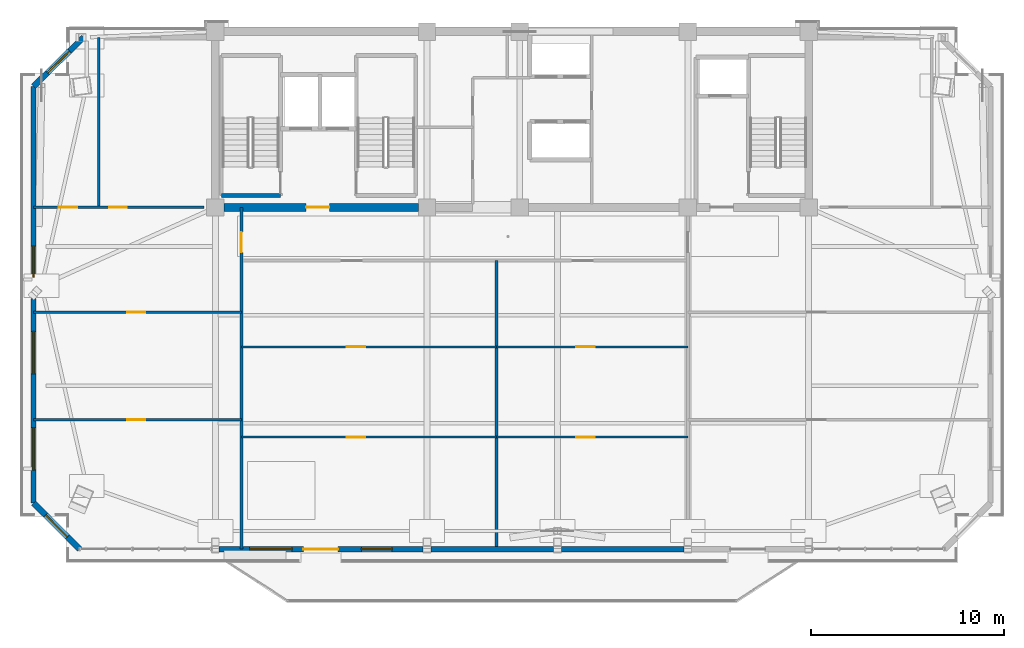
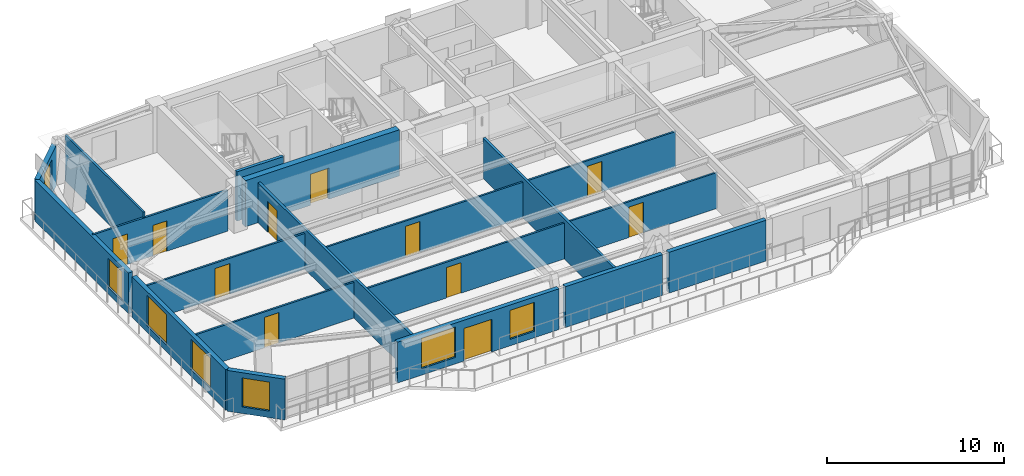
# One storey, part 6 of 14: 19 walls, 11 doors, 7 windows, 18 openings.
"""IFC4 building model written with IfcOpenShell, lengths in metres."""

from ifc_helpers import new_model, si_unit, direction, frame, frame_2d, origin, place, context, subcontext, project, spatial, rectangle, extrude, source, transform, mapped, material, layer, layer_set, type_object, element, fill, save


model = new_model("IFC4")

# Units and contexts
model_context = context("Model", 3, precision=1e-05, world=origin(), true_north=direction((0.0, 1.0)))
body_context = subcontext(model_context, "Body", "Model", "MODEL_VIEW")
ifc_project = project(units=[si_unit("LENGTHUNIT", "METRE"), si_unit("AREAUNIT", "SQUARE_METRE"), si_unit("VOLUMEUNIT", "CUBIC_METRE"), si_unit("PLANEANGLEUNIT", "RADIAN"), si_unit("MASSUNIT", "GRAM", prefix="KILO")], contexts=[model_context])

# Site, building, storey
site_placement = place(None, origin())
site = spatial("IfcSite", under=ifc_project, at=site_placement, CompositionType="ELEMENT")
building_placement = place(site_placement, origin())
building = spatial("IfcBuilding", under=site, at=building_placement, Name="Giltprow Tower", CompositionType="ELEMENT")
storey_placement = place(building_placement, frame((0.0, 0.0, 310.800048828125)))
storey = spatial("IfcBuildingStorey", under=building, at=storey_placement, Name="L80", CompositionType="ELEMENT", Elevation=310.800048828125)

# Wall, opening, window
ifc_material_1 = material(Name="Precast concrete C40", Category="concrete")
ifc_layer_1 = layer(ifc_material_1, 0.300048828125, Name="Precast concrete C40")
ifc_layer_set_1 = layer_set([ifc_layer_1], Name="Precast concrete C40")
wall_type_1 = type_object("IfcWallType", Name="EW-NOTCH-CHAMFER-300", PredefinedType="SOLIDWALL", material=ifc_layer_set_1)
wall_1_placement = place(storey_placement, frame((10.43994140625, 22.156982421875, 0.0), z_axis=(0.0, 0.0, 1.0), x_axis=(0.707106781187, -0.707106781187, 0.0)))
wall_1 = element("IfcWall", 1, at=wall_1_placement, inside=storey, type_object=wall_type_1, Name="L80 Corner Notch Wall SW", PredefinedType="SOLIDWALL", context=body_context, shape_type="SweptSolid", body=[
    extrude(rectangle(XDim=3.372802734375, YDim=0.300048828125, at=frame_2d((1.6865234375, 0.0))), origin(), (0.0, 0.0, 1.0), 2.81494140625),
])
opening_1_placement = place(wall_1_placement, frame((0.885986328125, 0.0, 0.449951171875)))
opening_1 = element("IfcOpeningElement", 2, at=opening_1_placement, cuts=wall_1, Name="Opening WN17", PredefinedType="OPENING", context=body_context, shape_type="SweptSolid", body=[
    extrude(rectangle(XDim=1.60009765625, YDim=2.0, at=frame_2d((0.800048828125, 1.0))), frame((0.0, 0.159912109375, 0.0), z_axis=(0.0, -1.0, 0.0), x_axis=(1.0, 0.0, 0.0)), (0.0, 0.0, 1.0), 0.320068359375),
])
ifc_material_2 = material(Name="Insulated glass", Category="glass")
window_type_1 = type_object("IfcWindowType", Name="WN-COR-1600x2000", PartitioningType="SINGLE_PANEL", PredefinedType="WINDOW", material=ifc_material_2)
shared_shape_1 = source(origin(), body_context, "Body", "SweptSolid", [
    extrude(rectangle(XDim=1.60009765625, YDim=2.0, at=frame_2d((0.800048828125, 1.0))), frame((0.0, 0.030029296875, 0.0), z_axis=(0.0, -1.0, 0.0), x_axis=(1.0, 0.0, 0.0)), (0.0, 0.0, 1.0), 0.06005859375),
])
window_1_placement = place(opening_1_placement, origin())
window_1 = element("IfcWindow", 3, at=window_1_placement, inside=storey, type_object=window_type_1, Name="L80 Corner Notch Window SW", OverallHeight=2.0, OverallWidth=1.60009765625, PartitioningType="SINGLE_PANEL", PredefinedType="WINDOW", context=body_context, shape_type="MappedRepresentation", body=[
    mapped(shared_shape_1, transform((0.0, 0.0, 0.0), x_axis=(1.0, 0.0, 0.0), y_axis=(0.0, 1.0, 0.0), z_axis=(0.0, 0.0, 1.0), scale=1.0)),
])
fill(opening_1, window_1)

wall_2_placement = place(storey_placement, frame((13.02490234375, 46.25, 0.0), z_axis=(0.0, 0.0, 1.0), x_axis=(-0.713984922877, -0.700161074257, 0.0)))
wall_2 = element("IfcWall", 4, at=wall_2_placement, inside=storey, type_object=wall_type_1, Name="L80 Corner Notch Wall NW", PredefinedType="SOLIDWALL", context=body_context, shape_type="SweptSolid", body=[
    extrude(rectangle(XDim=3.620361328125, YDim=0.300048828125, at=frame_2d((1.81005859375, 0.0))), origin(), (0.0, 0.0, 1.0), 2.81494140625),
])
opening_2_placement = place(wall_2_placement, frame((1.010009765625, 0.0, 0.449951171875)))
opening_2 = element("IfcOpeningElement", 5, at=opening_2_placement, cuts=wall_2, Name="Opening WN17", PredefinedType="OPENING", context=body_context, shape_type="SweptSolid", body=[
    extrude(rectangle(XDim=1.60009765625, YDim=2.0, at=frame_2d((0.800048828125, 1.0))), frame((0.0, 0.159912109375, 0.0), z_axis=(0.0, -1.0, 0.0), x_axis=(1.0, 0.0, 0.0)), (0.0, 0.0, 1.0), 0.320068359375),
])
window_2_placement = place(opening_2_placement, origin())
window_2 = element("IfcWindow", 6, at=window_2_placement, inside=storey, type_object=window_type_1, Name="L80 Corner Notch Window NW", OverallHeight=2.0, OverallWidth=1.60009765625, PartitioningType="SINGLE_PANEL", PredefinedType="WINDOW", context=body_context, shape_type="MappedRepresentation", body=[
    mapped(shared_shape_1, transform((0.0, 0.0, 0.0), x_axis=(1.0, 0.0, 0.0), y_axis=(0.0, 1.0, 0.0), z_axis=(0.0, 0.0, 1.0), scale=1.0)),
])
fill(opening_2, window_2)

# Wall, openings, windows, door
ifc_layer_2 = layer(ifc_material_1, 0.280029296875, Name="Precast concrete C40")
ifc_layer_set_2 = layer_set([ifc_layer_2], Name="Precast concrete C40")
wall_type_2 = type_object("IfcWallType", Name="EW-TOW-BRONZE-280", PredefinedType="SOLIDWALL", material=ifc_layer_set_2)
wall_3_placement = place(storey_placement, frame((20.050048828125, 19.77197265625, 0.0), z_axis=(0.0, 0.0, 1.0), x_axis=(1.0, 0.0, 0.0)))
wall_3 = element("IfcWall", 7, at=wall_3_placement, inside=storey, type_object=wall_type_2, Name="L80 South Expressed Frame Wall 2", PredefinedType="SOLIDWALL", context=body_context, shape_type="SweptSolid", body=[
    extrude(rectangle(XDim=10.550048828125, YDim=0.280029296875, at=frame_2d((5.27490234375, 0.0))), origin(), (0.0, 0.0, 1.0), 2.81494140625),
])
opening_3_placement = place(wall_3_placement, frame((4.35009765625, 0.0, 0.0)))
opening_3 = element("IfcOpeningElement", 8, at=opening_3_placement, cuts=wall_3, Name="Opening ED25", PredefinedType="OPENING", context=body_context, shape_type="SweptSolid", body=[
    extrude(rectangle(XDim=1.800048828125, YDim=2.25, at=frame_2d((0.89990234375, 1.125))), frame((0.0, 0.14990234375, 0.0), z_axis=(0.0, -1.0, 0.0), x_axis=(1.0, 0.0, 0.0)), (0.0, 0.0, 1.0), 0.300048828125),
])
opening_4_placement = place(wall_3_placement, frame((1.570068359375, 0.0, 0.449951171875)))
opening_4 = element("IfcOpeningElement", 9, at=opening_4_placement, cuts=wall_3, Name="Opening WN27", PredefinedType="OPENING", context=body_context, shape_type="SweptSolid", body=[
    extrude(rectangle(XDim=2.199951171875, YDim=2.10009765625, at=frame_2d((1.10009765625, 1.050048828125))), frame((0.0, 0.14990234375, 0.0), z_axis=(0.0, -1.0, 0.0), x_axis=(1.0, 0.0, 0.0)), (0.0, 0.0, 1.0), 0.300048828125),
])
opening_5_placement = place(wall_3_placement, frame((7.35009765625, 0.0, 0.449951171875)))
opening_5 = element("IfcOpeningElement", 10, at=opening_5_placement, cuts=wall_3, Name="Opening WN17", PredefinedType="OPENING", context=body_context, shape_type="SweptSolid", body=[
    extrude(rectangle(XDim=1.60009765625, YDim=2.0, at=frame_2d((0.800048828125, 1.0))), frame((0.0, 0.14990234375, 0.0), z_axis=(0.0, -1.0, 0.0), x_axis=(1.0, 0.0, 0.0)), (0.0, 0.0, 1.0), 0.300048828125),
])
window_3_placement = place(opening_5_placement, origin())
window_3 = element("IfcWindow", 11, at=window_3_placement, inside=storey, type_object=window_type_1, Name="L80 South Window 2B", OverallHeight=2.0, OverallWidth=1.60009765625, PartitioningType="SINGLE_PANEL", PredefinedType="WINDOW", context=body_context, shape_type="MappedRepresentation", body=[
    mapped(shared_shape_1, transform((0.0, 0.0, 0.0), x_axis=(1.0, 0.0, 0.0), y_axis=(0.0, 1.0, 0.0), z_axis=(0.0, 0.0, 1.0), scale=1.0)),
])
fill(opening_5, window_3)
ifc_material_3 = material(Name="Anodized bronze and glass", Category="glass")
door_type_1 = type_object("IfcDoorType", Name="DR-BALC-SLIDE-1800", OperationType="SLIDING_TO_LEFT", PredefinedType="DOOR", material=ifc_material_3)
shared_shape_2 = source(origin(), body_context, "Body", "SweptSolid", [
    extrude(rectangle(XDim=1.800048828125, YDim=2.25, at=frame_2d((0.89990234375, 1.125))), frame((0.0, 0.02490234375, 0.0), z_axis=(0.0, -1.0, 0.0), x_axis=(1.0, 0.0, 0.0)), (0.0, 0.0, 1.0), 0.050048828125),
])
door_1_placement = place(opening_3_placement, origin())
door_1 = element("IfcDoor", 12, at=door_1_placement, inside=storey, type_object=door_type_1, Name="L80 Waterfront Balcony Sliding Door 1", OperationType="SLIDING_TO_LEFT", OverallHeight=2.25, OverallWidth=1.800048828125, PredefinedType="DOOR", context=body_context, shape_type="MappedRepresentation", body=[
    mapped(shared_shape_2, transform((0.0, 0.0, 0.0), x_axis=(1.0, 0.0, 0.0), y_axis=(0.0, 1.0, 0.0), z_axis=(0.0, 0.0, 1.0), scale=1.0)),
])
fill(opening_3, door_1)
window_type_2 = type_object("IfcWindowType", Name="WN-RES-2200x2100", PartitioningType="TRIPLE_PANEL_VERTICAL", PredefinedType="WINDOW", material=ifc_material_2)
shared_shape_3 = source(origin(), body_context, "Body", "SweptSolid", [
    extrude(rectangle(XDim=2.199951171875, YDim=2.10009765625, at=frame_2d((1.10009765625, 1.050048828125))), frame((0.0, 0.030029296875, 0.0), z_axis=(0.0, -1.0, 0.0), x_axis=(1.0, 0.0, 0.0)), (0.0, 0.0, 1.0), 0.06005859375),
])
window_4_placement = place(opening_4_placement, origin())
window_4 = element("IfcWindow", 13, at=window_4_placement, inside=storey, type_object=window_type_2, Name="L80 South Window 2A", OverallHeight=2.10009765625, OverallWidth=2.199951171875, PartitioningType="SINGLE_PANEL", PredefinedType="WINDOW", context=body_context, shape_type="MappedRepresentation", body=[
    mapped(shared_shape_3, transform((0.0, 0.0, 0.0), x_axis=(1.0, 0.0, 0.0), y_axis=(0.0, 1.0, 0.0), z_axis=(0.0, 0.0, 1.0), scale=1.0)),
])
fill(opening_4, window_4)

# Walls
for number, where, z_axis, x_axis, name in (
    (14, (31.0, 19.77197265625, 0.0), (0.0, 0.0, 1.0), (1.0, 0.0, 0.0), "L80 South Expressed Frame Wall 3"),
    (15, (37.75, 19.77197265625, 0.0), (0.0, 0.0, 1.0), (1.0, 0.0, 0.0), "L80 South Expressed Frame Wall 4"),
):
    element("IfcWall", number, at=place(storey_placement, frame(where, z_axis=z_axis, x_axis=x_axis)), inside=storey, type_object=wall_type_2, Name=name, PredefinedType="SOLIDWALL", context=body_context, shape_type="SweptSolid", body=[
        extrude(rectangle(XDim=6.35009765625, YDim=0.280029296875, at=frame_2d((3.175048828125, 0.0))), origin(), (0.0, 0.0, 1.0), 2.81494140625),
    ])

# Wall, openings, windows
wall_4_placement = place(storey_placement, frame((10.43994140625, 22.156982421875, 0.0), z_axis=(0.0, 0.0, 1.0), x_axis=(0.0, 1.0, 0.0)))
wall_4 = element("IfcWall", 16, at=wall_4_placement, inside=storey, type_object=wall_type_2, Name="L80 W Wing Masonry Wall 1", PredefinedType="SOLIDWALL", context=body_context, shape_type="SweptSolid", body=[
    extrude(rectangle(XDim=10.5791015625, YDim=0.280029296875, at=frame_2d((5.28955078125, 0.0))), origin(), (0.0, 0.0, 1.0), 2.81494140625),
])
opening_6_placement = place(wall_4_placement, frame((1.705078125, 0.0, 0.449951171875)))
opening_6 = element("IfcOpeningElement", 17, at=opening_6_placement, cuts=wall_4, Name="Opening WN27", PredefinedType="OPENING", context=body_context, shape_type="SweptSolid", body=[
    extrude(rectangle(XDim=2.199951171875, YDim=2.10009765625, at=frame_2d((1.10009765625, 1.050048828125))), frame((0.0, 0.14990234375, 0.0), z_axis=(0.0, -1.0, 0.0), x_axis=(1.0, 0.0, 0.0)), (0.0, 0.0, 1.0), 0.300048828125),
])
opening_7_placement = place(wall_4_placement, frame((6.679931640625, 0.0, 0.449951171875)))
opening_7 = element("IfcOpeningElement", 18, at=opening_7_placement, cuts=wall_4, Name="Opening WN27", PredefinedType="OPENING", context=body_context, shape_type="SweptSolid", body=[
    extrude(rectangle(XDim=2.199951171875, YDim=2.10009765625, at=frame_2d((1.10009765625, 1.050048828125))), frame((0.0, 0.14990234375, 0.0), z_axis=(0.0, -1.0, 0.0), x_axis=(1.0, 0.0, 0.0)), (0.0, 0.0, 1.0), 0.300048828125),
])
window_5_placement = place(opening_6_placement, origin())
window_5 = element("IfcWindow", 19, at=window_5_placement, inside=storey, type_object=window_type_2, Name="L80 W Wing Window 1-1A", OverallHeight=2.10009765625, OverallWidth=2.199951171875, PartitioningType="SINGLE_PANEL", PredefinedType="WINDOW", context=body_context, shape_type="MappedRepresentation", body=[
    mapped(shared_shape_3, transform((0.0, 0.0, 0.0), x_axis=(1.0, 0.0, 0.0), y_axis=(0.0, 1.0, 0.0), z_axis=(0.0, 0.0, 1.0), scale=1.0)),
])
fill(opening_6, window_5)
window_6_placement = place(opening_7_placement, origin())
window_6 = element("IfcWindow", 20, at=window_6_placement, inside=storey, type_object=window_type_2, Name="L80 W Wing Window 1-1B", OverallHeight=2.10009765625, OverallWidth=2.199951171875, PartitioningType="SINGLE_PANEL", PredefinedType="WINDOW", context=body_context, shape_type="MappedRepresentation", body=[
    mapped(shared_shape_3, transform((0.0, 0.0, 0.0), x_axis=(1.0, 0.0, 0.0), y_axis=(0.0, 1.0, 0.0), z_axis=(0.0, 0.0, 1.0), scale=1.0)),
])
fill(opening_7, window_6)

# Wall, opening, window
wall_5_placement = place(storey_placement, frame((10.43994140625, 33.135986328125, 0.0), z_axis=(0.0, 0.0, 1.0), x_axis=(0.0, 1.0, 0.0)))
wall_5 = element("IfcWall", 21, at=wall_5_placement, inside=storey, type_object=wall_type_2, Name="L80 W Wing Masonry Wall 2", PredefinedType="SOLIDWALL", context=body_context, shape_type="SweptSolid", body=[
    extrude(rectangle(XDim=10.5791015625, YDim=0.280029296875, at=frame_2d((5.28955078125, 0.0))), origin(), (0.0, 0.0, 1.0), 2.81494140625),
])
opening_8_placement = place(wall_5_placement, frame((0.7119140625, 0.0, 0.449951171875)))
opening_8 = element("IfcOpeningElement", 22, at=opening_8_placement, cuts=wall_5, Name="Opening WN17", PredefinedType="OPENING", context=body_context, shape_type="SweptSolid", body=[
    extrude(rectangle(XDim=1.60009765625, YDim=2.0, at=frame_2d((0.800048828125, 1.0))), frame((0.0, 0.14990234375, 0.0), z_axis=(0.0, -1.0, 0.0), x_axis=(1.0, 0.0, 0.0)), (0.0, 0.0, 1.0), 0.300048828125),
])
window_7_placement = place(opening_8_placement, origin())
window_7 = element("IfcWindow", 23, at=window_7_placement, inside=storey, type_object=window_type_1, Name="L80 W Wing Window 2-1", OverallHeight=2.0, OverallWidth=1.60009765625, PartitioningType="SINGLE_PANEL", PredefinedType="WINDOW", context=body_context, shape_type="MappedRepresentation", body=[
    mapped(shared_shape_1, transform((0.0, 0.0, 0.0), x_axis=(1.0, 0.0, 0.0), y_axis=(0.0, 1.0, 0.0), z_axis=(0.0, 0.0, 1.0), scale=1.0)),
])
fill(opening_8, window_7)

# Wall, opening, door
ifc_material_4 = material(Name="Gypsum stud partition", Category="gypsum")
ifc_layer_3 = layer(ifc_material_4, 0.159912109375, Name="Gypsum stud partition")
ifc_layer_set_3 = layer_set([ifc_layer_3], Name="Gypsum stud partition")
wall_type_3 = type_object("IfcWallType", Name="IW-DEMISE-160", PredefinedType="PARTITIONING", material=ifc_layer_set_3)
wall_6_placement = place(storey_placement, frame((21.199951171875, 19.77197265625, 0.0), z_axis=(0.0, 0.0, 1.0), x_axis=(0.0, 1.0, 0.0)))
wall_6 = element("IfcWall", 24, at=wall_6_placement, inside=storey, type_object=wall_type_3, Name="L80 Apartment Party Wall 1", PredefinedType="PARTITIONING", context=body_context, shape_type="SweptSolid", body=[
    extrude(rectangle(XDim=17.677978515625, YDim=0.159912109375, at=frame_2d((8.8388671875, 0.0))), origin(), (0.0, 0.0, 1.0), 2.77001953125),
])
opening_9_placement = place(wall_6_placement, frame((15.347900390625, 0.0, 0.0)))
opening_9 = element("IfcOpeningElement", 25, at=opening_9_placement, cuts=wall_6, Name="Opening ID31", PredefinedType="OPENING", context=body_context, shape_type="SweptSolid", body=[
    extrude(rectangle(XDim=1.050048828125, YDim=2.14990234375, at=frame_2d((0.52490234375, 1.074951171875))), frame((0.0, 0.08984375, 0.0), z_axis=(0.0, -1.0, 0.0), x_axis=(1.0, 0.0, 0.0)), (0.0, 0.0, 1.0), 0.179931640625),
])
ifc_material_5 = material(Name="Engineered timber", Category="wood")
door_type_2 = type_object("IfcDoorType", Name="DR-SUITE-1050", OperationType="SINGLE_SWING_LEFT", PredefinedType="DOOR", material=ifc_material_5)
shared_shape_4 = source(origin(), body_context, "Body", "SweptSolid", [
    extrude(rectangle(XDim=1.050048828125, YDim=2.14990234375, at=frame_2d((0.52490234375, 1.074951171875))), frame((0.0, 0.02490234375, 0.0), z_axis=(0.0, -1.0, 0.0), x_axis=(1.0, 0.0, 0.0)), (0.0, 0.0, 1.0), 0.050048828125),
])
door_2_placement = place(opening_9_placement, origin())
door_2 = element("IfcDoor", 26, at=door_2_placement, inside=storey, type_object=door_type_2, Name="L80 Residents Study Office Corridor End Door", OperationType="SINGLE_SWING_RIGHT", OverallHeight=2.14990234375, OverallWidth=1.050048828125, PredefinedType="DOOR", context=body_context, shape_type="MappedRepresentation", body=[
    mapped(shared_shape_4, transform((0.0, 0.0, 0.0), x_axis=(1.0, 0.0, 0.0), y_axis=(0.0, 1.0, 0.0), z_axis=(0.0, 0.0, 1.0), scale=1.0)),
])
fill(opening_9, door_2)

# Wall
wall_7_placement = place(storey_placement, frame((34.39990234375, 19.77197265625, 0.0), z_axis=(0.0, 0.0, 1.0), x_axis=(0.0, 1.0, 0.0)))
element("IfcWall", 27, at=wall_7_placement, inside=storey, type_object=wall_type_3, Name="L80 Apartment Party Wall 2", PredefinedType="PARTITIONING", context=body_context, shape_type="SweptSolid", body=[
    extrude(rectangle(XDim=14.927978515625, YDim=0.159912109375, at=frame_2d((7.4638671875, 0.0))), origin(), (0.0, 0.0, 1.0), 2.77001953125),
])

# Wall, opening, door
ifc_layer_4 = layer(ifc_material_4, 0.1201171875, Name="Gypsum stud partition")
ifc_layer_set_4 = layer_set([ifc_layer_4], Name="Gypsum stud partition")
wall_type_4 = type_object("IfcWallType", Name="IW-ROOM-120", PredefinedType="PARTITIONING", material=ifc_layer_set_4)
wall_8_placement = place(storey_placement, frame((10.43994140625, 26.4619140625, 0.0), z_axis=(0.0, 0.0, 1.0), x_axis=(1.0, 0.0, 0.0)))
wall_8 = element("IfcWall", 28, at=wall_8_placement, inside=storey, type_object=wall_type_4, Name="L80 Special Split 1", PredefinedType="PARTITIONING", context=body_context, shape_type="SweptSolid", body=[
    extrude(rectangle(XDim=10.760009765625, YDim=0.1201171875, at=frame_2d((5.3798828125, 0.0))), origin(), (0.0, 0.0, 1.0), 2.469970703125),
])
opening_10_placement = place(wall_8_placement, frame((4.839111328125, 0.0, 0.0)))
opening_10 = element("IfcOpeningElement", 29, at=opening_10_placement, cuts=wall_8, Name="Opening ID11", PredefinedType="OPENING", context=body_context, shape_type="SweptSolid", body=[
    extrude(rectangle(XDim=0.949951171875, YDim=2.10009765625, at=frame_2d((0.47509765625, 1.050048828125))), frame((0.0, 0.070068359375, 0.0), z_axis=(0.0, -1.0, 0.0), x_axis=(1.0, 0.0, 0.0)), (0.0, 0.0, 1.0), 0.14013671875),
])
door_type_3 = type_object("IfcDoorType", Name="DR-ROOM-950", OperationType="SINGLE_SWING_RIGHT", PredefinedType="DOOR", material=ifc_material_5)
shared_shape_5 = source(origin(), body_context, "Body", "SweptSolid", [
    extrude(rectangle(XDim=0.949951171875, YDim=2.10009765625, at=frame_2d((0.47509765625, 1.050048828125))), frame((0.0, 0.02490234375, 0.0), z_axis=(0.0, -1.0, 0.0), x_axis=(1.0, 0.0, 0.0)), (0.0, 0.0, 1.0), 0.050048828125),
])
door_3_placement = place(opening_10_placement, origin())
door_3 = element("IfcDoor", 30, at=door_3_placement, inside=storey, type_object=door_type_3, Name="L80 Residents Study Office South Door", OperationType="SINGLE_SWING_RIGHT", OverallHeight=2.10009765625, OverallWidth=0.949951171875, PredefinedType="DOOR", context=body_context, shape_type="MappedRepresentation", body=[
    mapped(shared_shape_5, transform((0.0, 0.0, 0.0), x_axis=(1.0, 0.0, 0.0), y_axis=(0.0, 1.0, 0.0), z_axis=(0.0, 0.0, 1.0), scale=1.0)),
])
fill(opening_10, door_3)

wall_9_placement = place(storey_placement, frame((10.43994140625, 32.01904296875, 0.0), z_axis=(0.0, 0.0, 1.0), x_axis=(1.0, 0.0, 0.0)))
wall_9 = element("IfcWall", 31, at=wall_9_placement, inside=storey, type_object=wall_type_4, Name="L80 Special Split 2", PredefinedType="PARTITIONING", context=body_context, shape_type="SweptSolid", body=[
    extrude(rectangle(XDim=10.760009765625, YDim=0.1201171875, at=frame_2d((5.3798828125, 0.0))), origin(), (0.0, 0.0, 1.0), 2.469970703125),
])
opening_11_placement = place(wall_9_placement, frame((4.839111328125, 0.0, 0.0)))
opening_11 = element("IfcOpeningElement", 32, at=opening_11_placement, cuts=wall_9, Name="Opening ID11", PredefinedType="OPENING", context=body_context, shape_type="SweptSolid", body=[
    extrude(rectangle(XDim=0.949951171875, YDim=2.10009765625, at=frame_2d((0.47509765625, 1.050048828125))), frame((0.0, 0.070068359375, 0.0), z_axis=(0.0, -1.0, 0.0), x_axis=(1.0, 0.0, 0.0)), (0.0, 0.0, 1.0), 0.14013671875),
])
door_4_placement = place(opening_11_placement, origin())
door_4 = element("IfcDoor", 33, at=door_4_placement, inside=storey, type_object=door_type_3, Name="L80 Residents Study Office Mid Door", OperationType="SINGLE_SWING_LEFT", OverallHeight=2.10009765625, OverallWidth=0.949951171875, PredefinedType="DOOR", context=body_context, shape_type="MappedRepresentation", body=[
    mapped(shared_shape_5, transform((0.0, 0.0, 0.0), x_axis=(1.0, 0.0, 0.0), y_axis=(0.0, 1.0, 0.0), z_axis=(0.0, 0.0, 1.0), scale=1.0)),
])
fill(opening_11, door_4)

wall_10_placement = place(storey_placement, frame((21.199951171875, 25.56689453125, 0.0), z_axis=(0.0, 0.0, 1.0), x_axis=(1.0, 0.0, 0.0)))
wall_10 = element("IfcWall", 34, at=wall_10_placement, inside=storey, type_object=wall_type_4, Name="L80 Special Split 1", PredefinedType="PARTITIONING", context=body_context, shape_type="SweptSolid", body=[
    extrude(rectangle(XDim=13.199951171875, YDim=0.1201171875, at=frame_2d((6.60009765625, 0.0))), origin(), (0.0, 0.0, 1.0), 2.469970703125),
])
opening_12_placement = place(wall_10_placement, frame((5.446044921875, 0.0, 0.0)))
opening_12 = element("IfcOpeningElement", 35, at=opening_12_placement, cuts=wall_10, Name="Opening ID11", PredefinedType="OPENING", context=body_context, shape_type="SweptSolid", body=[
    extrude(rectangle(XDim=0.949951171875, YDim=2.10009765625, at=frame_2d((0.47509765625, 1.050048828125))), frame((0.0, 0.070068359375, 0.0), z_axis=(0.0, -1.0, 0.0), x_axis=(1.0, 0.0, 0.0)), (0.0, 0.0, 1.0), 0.14013671875),
])
door_5_placement = place(opening_12_placement, origin())
door_5 = element("IfcDoor", 36, at=door_5_placement, inside=storey, type_object=door_type_3, Name="L80 Residents Sky Club Lounge South Door", OperationType="SINGLE_SWING_LEFT", OverallHeight=2.10009765625, OverallWidth=0.949951171875, PredefinedType="DOOR", context=body_context, shape_type="MappedRepresentation", body=[
    mapped(shared_shape_5, transform((0.0, 0.0, 0.0), x_axis=(1.0, 0.0, 0.0), y_axis=(0.0, 1.0, 0.0), z_axis=(0.0, 0.0, 1.0), scale=1.0)),
])
fill(opening_12, door_5)

wall_11_placement = place(storey_placement, frame((21.199951171875, 30.23095703125, 0.0), z_axis=(0.0, 0.0, 1.0), x_axis=(1.0, 0.0, 0.0)))
wall_11 = element("IfcWall", 37, at=wall_11_placement, inside=storey, type_object=wall_type_4, Name="L80 Special Split 2", PredefinedType="PARTITIONING", context=body_context, shape_type="SweptSolid", body=[
    extrude(rectangle(XDim=13.199951171875, YDim=0.1201171875, at=frame_2d((6.60009765625, 0.0))), origin(), (0.0, 0.0, 1.0), 2.469970703125),
])
opening_13_placement = place(wall_11_placement, frame((5.446044921875, 0.0, 0.0)))
opening_13 = element("IfcOpeningElement", 38, at=opening_13_placement, cuts=wall_11, Name="Opening ID11", PredefinedType="OPENING", context=body_context, shape_type="SweptSolid", body=[
    extrude(rectangle(XDim=0.949951171875, YDim=2.10009765625, at=frame_2d((0.47509765625, 1.050048828125))), frame((0.0, 0.070068359375, 0.0), z_axis=(0.0, -1.0, 0.0), x_axis=(1.0, 0.0, 0.0)), (0.0, 0.0, 1.0), 0.14013671875),
])
door_6_placement = place(opening_13_placement, origin())
door_6 = element("IfcDoor", 39, at=door_6_placement, inside=storey, type_object=door_type_3, Name="L80 Residents Sky Club Lounge Mid Door", OperationType="SINGLE_SWING_RIGHT", OverallHeight=2.10009765625, OverallWidth=0.949951171875, PredefinedType="DOOR", context=body_context, shape_type="MappedRepresentation", body=[
    mapped(shared_shape_5, transform((0.0, 0.0, 0.0), x_axis=(1.0, 0.0, 0.0), y_axis=(0.0, 1.0, 0.0), z_axis=(0.0, 0.0, 1.0), scale=1.0)),
])
fill(opening_13, door_6)

wall_12_placement = place(storey_placement, frame((34.39990234375, 25.56689453125, 0.0), z_axis=(0.0, 0.0, 1.0), x_axis=(1.0, 0.0, 0.0)))
wall_12 = element("IfcWall", 40, at=wall_12_placement, inside=storey, type_object=wall_type_4, Name="L80 Special Split 1", PredefinedType="PARTITIONING", context=body_context, shape_type="SweptSolid", body=[
    extrude(rectangle(XDim=9.900146484375, YDim=0.1201171875, at=frame_2d((4.9501953125, 0.0))), origin(), (0.0, 0.0, 1.0), 2.469970703125),
])
opening_14_placement = place(wall_12_placement, frame((4.1259765625, 0.0, 0.0)))
opening_14 = element("IfcOpeningElement", 41, at=opening_14_placement, cuts=wall_12, Name="Opening ID11", PredefinedType="OPENING", context=body_context, shape_type="SweptSolid", body=[
    extrude(rectangle(XDim=0.949951171875, YDim=2.10009765625, at=frame_2d((0.47509765625, 1.050048828125))), frame((0.0, 0.070068359375, 0.0), z_axis=(0.0, -1.0, 0.0), x_axis=(1.0, 0.0, 0.0)), (0.0, 0.0, 1.0), 0.14013671875),
])
door_7_placement = place(opening_14_placement, origin())
door_7 = element("IfcDoor", 42, at=door_7_placement, inside=storey, type_object=door_type_3, Name="L80 Residents Sky Club Lounge South Door", OperationType="SINGLE_SWING_RIGHT", OverallHeight=2.10009765625, OverallWidth=0.949951171875, PredefinedType="DOOR", context=body_context, shape_type="MappedRepresentation", body=[
    mapped(shared_shape_5, transform((0.0, 0.0, 0.0), x_axis=(1.0, 0.0, 0.0), y_axis=(0.0, 1.0, 0.0), z_axis=(0.0, 0.0, 1.0), scale=1.0)),
])
fill(opening_14, door_7)

wall_13_placement = place(storey_placement, frame((34.39990234375, 30.23095703125, 0.0), z_axis=(0.0, 0.0, 1.0), x_axis=(1.0, 0.0, 0.0)))
wall_13 = element("IfcWall", 43, at=wall_13_placement, inside=storey, type_object=wall_type_4, Name="L80 Special Split 2", PredefinedType="PARTITIONING", context=body_context, shape_type="SweptSolid", body=[
    extrude(rectangle(XDim=9.900146484375, YDim=0.1201171875, at=frame_2d((4.9501953125, 0.0))), origin(), (0.0, 0.0, 1.0), 2.469970703125),
])
opening_15_placement = place(wall_13_placement, frame((4.1259765625, 0.0, 0.0)))
opening_15 = element("IfcOpeningElement", 44, at=opening_15_placement, cuts=wall_13, Name="Opening ID11", PredefinedType="OPENING", context=body_context, shape_type="SweptSolid", body=[
    extrude(rectangle(XDim=0.949951171875, YDim=2.10009765625, at=frame_2d((0.47509765625, 1.050048828125))), frame((0.0, 0.070068359375, 0.0), z_axis=(0.0, -1.0, 0.0), x_axis=(1.0, 0.0, 0.0)), (0.0, 0.0, 1.0), 0.14013671875),
])
door_8_placement = place(opening_15_placement, origin())
door_8 = element("IfcDoor", 45, at=door_8_placement, inside=storey, type_object=door_type_3, Name="L80 Residents Sky Club Lounge Mid Door", OperationType="SINGLE_SWING_LEFT", OverallHeight=2.10009765625, OverallWidth=0.949951171875, PredefinedType="DOOR", context=body_context, shape_type="MappedRepresentation", body=[
    mapped(shared_shape_5, transform((0.0, 0.0, 0.0), x_axis=(1.0, 0.0, 0.0), y_axis=(0.0, 1.0, 0.0), z_axis=(0.0, 0.0, 1.0), scale=1.0)),
])
fill(opening_15, door_8)

# Wall
ifc_material_6 = material(Name="Concrete C40", Category="concrete")
ifc_layer_5 = layer(ifc_material_6, 0.199951171875, Name="Concrete C40")
ifc_layer_set_5 = layer_set([ifc_layer_5], Name="Concrete C40")
wall_type_5 = type_object("IfcWallType", Name="IW-STAIR-200", PredefinedType="SOLIDWALL", material=ifc_layer_set_5)
wall_14_placement = place(storey_placement, frame((20.169921875, 38.070068359375, 0.0), z_axis=(0.0, 0.0, 1.0), x_axis=(1.0, 0.0, 0.0)))
element("IfcWall", 46, at=wall_14_placement, inside=storey, type_object=wall_type_5, Name="L80 Stair ST-1 South Bearing Wall", PredefinedType="SOLIDWALL", context=body_context, shape_type="SweptSolid", body=[
    extrude(rectangle(XDim=3.050048828125, YDim=0.199951171875, at=frame_2d((1.52490234375, 0.0))), origin(), (0.0, 0.0, 1.0), 3.39990234375),
])

# Wall, openings, doors
ifc_material_7 = material(Name="Concrete C30", Category="concrete")
ifc_layer_6 = layer(ifc_material_7, 0.1298828125, Name="Concrete C30")
ifc_layer_set_6 = layer_set([ifc_layer_6], Name="Concrete C30")
wall_type_6 = type_object("IfcWallType", Name="IW-WET-130", PredefinedType="PARTITIONING", material=ifc_layer_set_6)
wall_15_placement = place(storey_placement, frame((10.43994140625, 37.449951171875, 0.0), z_axis=(0.0, 0.0, 1.0), x_axis=(1.0, 0.0, 0.0)))
wall_15 = element("IfcWall", 47, at=wall_15_placement, inside=storey, type_object=wall_type_6, Name="L80 NW Wing South Wall", PredefinedType="PARTITIONING", context=body_context, shape_type="SweptSolid", body=[
    extrude(rectangle(XDim=8.81005859375, YDim=0.1298828125, at=frame_2d((4.405029296875, 0.0))), origin(), (0.0, 0.0, 1.0), 2.820068359375),
])
opening_16_placement = place(wall_15_placement, frame((1.31494140625, 0.0, 0.0)))
opening_16 = element("IfcOpeningElement", 48, at=opening_16_placement, cuts=wall_15, Name="Opening ID11", PredefinedType="OPENING", context=body_context, shape_type="SweptSolid", body=[
    extrude(rectangle(XDim=0.949951171875, YDim=2.10009765625, at=frame_2d((0.47509765625, 1.050048828125))), frame((0.0, 0.074951171875, 0.0), z_axis=(0.0, -1.0, 0.0), x_axis=(1.0, 0.0, 0.0)), (0.0, 0.0, 1.0), 0.14990234375),
])
opening_17_placement = place(wall_15_placement, frame((3.9169921875, 0.0, 0.0)))
opening_17 = element("IfcOpeningElement", 49, at=opening_17_placement, cuts=wall_15, Name="Opening ID15", PredefinedType="OPENING", context=body_context, shape_type="SweptSolid", body=[
    extrude(rectangle(XDim=0.89990234375, YDim=2.10009765625, at=frame_2d((0.449951171875, 1.050048828125))), frame((0.0, 0.074951171875, 0.0), z_axis=(0.0, -1.0, 0.0), x_axis=(1.0, 0.0, 0.0)), (0.0, 0.0, 1.0), 0.14990234375),
])
door_type_4 = type_object("IfcDoorType", Name="DR-WC-900", OperationType="SINGLE_SWING_LEFT", PredefinedType="DOOR", material=ifc_material_5)
shared_shape_6 = source(origin(), body_context, "Body", "SweptSolid", [
    extrude(rectangle(XDim=0.89990234375, YDim=2.10009765625, at=frame_2d((0.449951171875, 1.050048828125))), frame((0.0, 0.02490234375, 0.0), z_axis=(0.0, -1.0, 0.0), x_axis=(1.0, 0.0, 0.0)), (0.0, 0.0, 1.0), 0.050048828125),
])
door_9_placement = place(opening_17_placement, origin())
door_9 = element("IfcDoor", 50, at=door_9_placement, inside=storey, type_object=door_type_4, Name="L80 NW Washroom Door", OperationType="SINGLE_SWING_LEFT", OverallHeight=2.10009765625, OverallWidth=0.89990234375, PredefinedType="DOOR", context=body_context, shape_type="MappedRepresentation", body=[
    mapped(shared_shape_6, transform((0.0, 0.0, 0.0), x_axis=(1.0, 0.0, 0.0), y_axis=(0.0, 1.0, 0.0), z_axis=(0.0, 0.0, 1.0), scale=1.0)),
])
fill(opening_17, door_9)
door_10_placement = place(opening_16_placement, origin())
door_10 = element("IfcDoor", 51, at=door_10_placement, inside=storey, type_object=door_type_3, Name="L80 Residents Study Office West Door", OperationType="SINGLE_SWING_RIGHT", OverallHeight=2.10009765625, OverallWidth=0.949951171875, PredefinedType="DOOR", context=body_context, shape_type="MappedRepresentation", body=[
    mapped(shared_shape_5, transform((0.0, 0.0, 0.0), x_axis=(1.0, 0.0, 0.0), y_axis=(0.0, 1.0, 0.0), z_axis=(0.0, 0.0, 1.0), scale=1.0)),
])
fill(opening_16, door_10)

# Wall
wall_16_placement = place(storey_placement, frame((13.806884765625, 37.449951171875, 0.0), z_axis=(0.0, 0.0, 1.0), x_axis=(0.0, 1.0, 0.0)))
element("IfcWall", 52, at=wall_16_placement, inside=storey, type_object=wall_type_6, Name="L80 NW Wing Divider", PredefinedType="PARTITIONING", context=body_context, shape_type="SweptSolid", body=[
    extrude(rectangle(XDim=8.800048828125, YDim=0.1298828125, at=frame_2d((4.39990234375, 0.0))), origin(), (0.0, 0.0, 1.0), 3.18505859375),
])

# Wall, opening, door
ifc_material_8 = material(Name="Concrete C45", Category="concrete")
ifc_layer_7 = layer(ifc_material_8, 0.39990234375, Name="Concrete C45")
ifc_layer_set_7 = layer_set([ifc_layer_7], Name="Concrete C45")
wall_type_7 = type_object("IfcWallType", Name="SW-INT-400-C45", PredefinedType="SHEAR", material=ifc_layer_set_7)
wall_17_placement = place(storey_placement, frame((20.300048828125, 37.449951171875, 0.0), z_axis=(0.0, 0.0, 1.0), x_axis=(1.0, 0.0, 0.0)))
wall_17 = element("IfcWall", 53, at=wall_17_placement, inside=storey, type_object=wall_type_7, Name="L80 South Rear Core Shear Wall West", PredefinedType="SHEAR", context=body_context, shape_type="SweptSolid", body=[
    extrude(rectangle(XDim=10.050048828125, YDim=0.39990234375, at=frame_2d((5.02490234375, 0.0))), origin(), (0.0, 0.0, 1.0), 3.18505859375),
])
opening_18_placement = place(wall_17_placement, frame((4.25, 0.0, 0.0)))
opening_18 = element("IfcOpeningElement", 54, at=opening_18_placement, cuts=wall_17, Name="Opening ID19", PredefinedType="OPENING", context=body_context, shape_type="SweptSolid", body=[
    extrude(rectangle(XDim=1.199951171875, YDim=2.14990234375, at=frame_2d((0.60009765625, 1.074951171875))), frame((0.0, 0.2099609375, 0.0), z_axis=(0.0, -1.0, 0.0), x_axis=(1.0, 0.0, 0.0)), (0.0, 0.0, 1.0), 0.419921875),
])
ifc_material_9 = material(Name="Steel fire leaf", Category="steel")
door_type_5 = type_object("IfcDoorType", Name="DR-FFLOBBY-1200", OperationType="SINGLE_SWING_RIGHT", PredefinedType="DOOR", material=ifc_material_9)
shared_shape_7 = source(origin(), body_context, "Body", "SweptSolid", [
    extrude(rectangle(XDim=1.199951171875, YDim=2.14990234375, at=frame_2d((0.60009765625, 1.074951171875))), frame((0.0, 0.02490234375, 0.0), z_axis=(0.0, -1.0, 0.0), x_axis=(1.0, 0.0, 0.0)), (0.0, 0.0, 1.0), 0.050048828125),
])
door_11_placement = place(opening_18_placement, origin())
door_11 = element("IfcDoor", 55, at=door_11_placement, inside=storey, type_object=door_type_5, Name="L80 West Firefighting Lobby Entry Door", OperationType="SINGLE_SWING_LEFT", OverallHeight=2.14990234375, OverallWidth=1.199951171875, PredefinedType="DOOR", context=body_context, shape_type="MappedRepresentation", body=[
    mapped(shared_shape_7, transform((0.0, 0.0, 0.0), x_axis=(1.0, 0.0, 0.0), y_axis=(0.0, 1.0, 0.0), z_axis=(0.0, 0.0, 1.0), scale=1.0)),
])
fill(opening_18, door_11)

save(model, "model.ifc")
